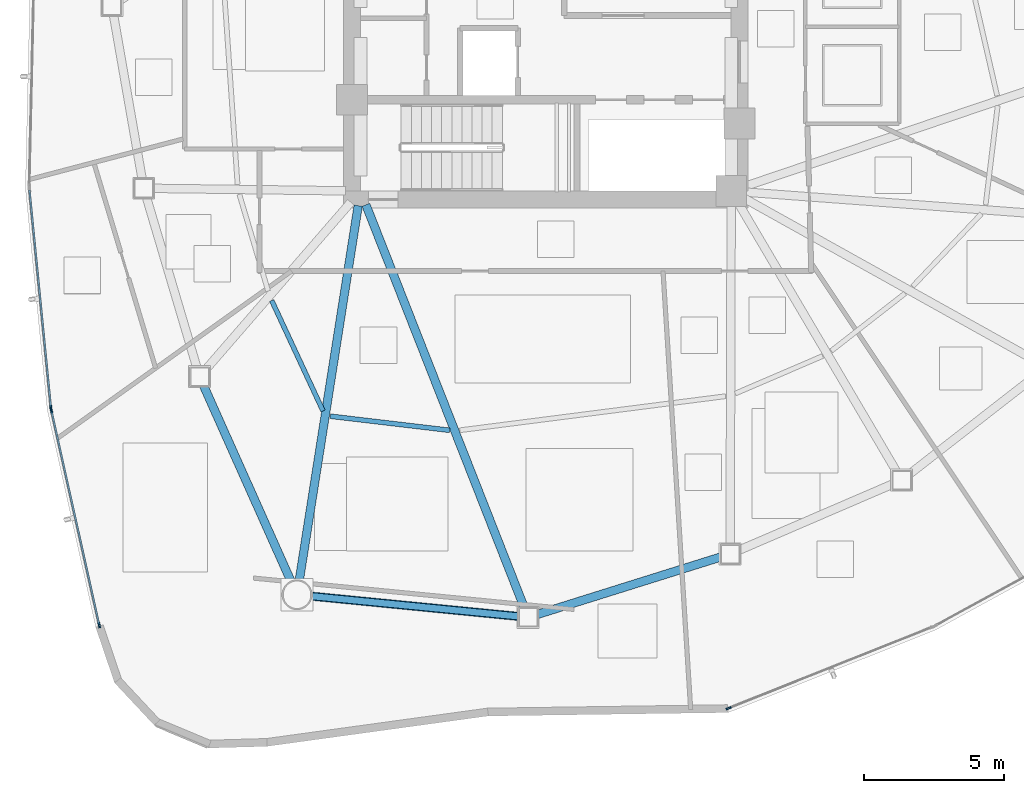
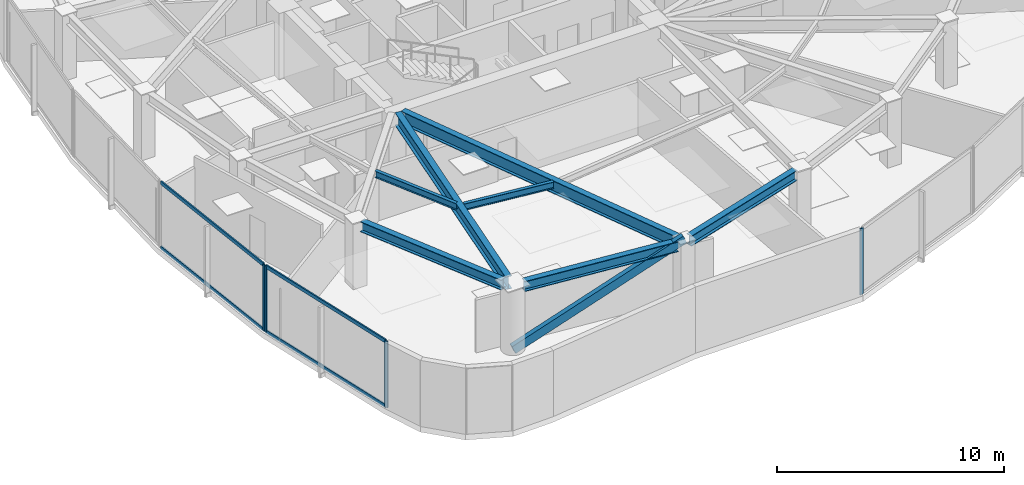
# One storey, part 2 of 16: 9 members, 7 beams, 3 elements without a shape of their own.
"""IFC4 building model written with IfcOpenShell, lengths in metres."""

from ifc_helpers import new_model, si_unit, direction, frame, origin, origin_2d, place, context, subcontext, project, spatial, hollow_rectangle, i_section, extrude, source, transform, mapped, material, layer, layer_set, material_profile, profile_set, type_object, type_shapes, element, aggregate, save


model = new_model("IFC4")

# Units and contexts
model_context = context("Model", 3, precision=1e-05, world=origin(), true_north=direction((0.0, 1.0)))
body_context = subcontext(model_context, "Body", "Model", "MODEL_VIEW")
ifc_project = project(units=[si_unit("LENGTHUNIT", "METRE"), si_unit("AREAUNIT", "SQUARE_METRE"), si_unit("VOLUMEUNIT", "CUBIC_METRE"), si_unit("PLANEANGLEUNIT", "RADIAN"), si_unit("MASSUNIT", "GRAM", prefix="KILO")], contexts=[model_context])

# Site, building, storey
site_placement = place(None, origin())
site = spatial("IfcSite", under=ifc_project, at=site_placement, CompositionType="ELEMENT")
building_placement = place(site_placement, origin())
building = spatial("IfcBuilding", under=site, at=building_placement, Name="Tavelor Broadcast Tower", CompositionType="ELEMENT")
storey_placement = place(building_placement, frame((0.0, 0.0, 138.699951171875)))
storey = spatial("IfcBuildingStorey", under=building, at=storey_placement, Name="L32", CompositionType="ELEMENT", Elevation=138.699951171875)

# Beams
ifc_material_1 = material(Name="Steel S355", Category="steel")
ifc_material_profile_1 = material_profile(ifc_material_1, i_section(OverallWidth=0.169921875, OverallDepth=0.360107421875, WebThickness=0.008056640625, FlangeThickness=0.0126953125, at=origin_2d()), Name="IPE 360")
ifc_profile_set_1 = profile_set([ifc_material_profile_1], Name="Steel S355")
beam_type_1 = type_object("IfcBeamType", Name="Composite Floor Joist T3 IPE 360", PredefinedType="JOIST", material=ifc_profile_set_1)
beam_1_placement = place(storey_placement, frame((40.237548828125, 34.901123046875, 3.3701171875), z_axis=(0.421480014114, -0.906837690936, 0.0), x_axis=(0.906837690936, 0.421480014114, 0.0)))
element("IfcBeam", 1, at=beam_1_placement, inside=storey, type_object=beam_type_1, Name="L32 Secondary Composite Floor Joist 06", PredefinedType="JOIST", context=body_context, shape_type="SweptSolid", body=[
    extrude(i_section(OverallWidth=0.169921875, OverallDepth=0.360107421875, WebThickness=0.008056640625, FlangeThickness=0.0126953125, at=origin_2d()), origin(), (0.0, 0.0, 1.0), 4.337890625),
])
beam_2_placement = place(storey_placement, frame((42.32177734375, 30.781982421875, 3.3701171875), z_axis=(0.993083165759, -0.117413056713, 0.0), x_axis=(0.117413056713, 0.993083165759, 0.0)))
element("IfcBeam", 2, at=beam_2_placement, inside=storey, type_object=beam_type_1, Name="L32 Secondary Composite Floor Joist 07", PredefinedType="JOIST", context=body_context, shape_type="SweptSolid", body=[
    extrude(i_section(OverallWidth=0.169921875, OverallDepth=0.360107421875, WebThickness=0.008056640625, FlangeThickness=0.0126953125, at=origin_2d()), origin(), (0.0, 0.0, 1.0), 4.285400390625),
])
ifc_material_profile_2 = material_profile(ifc_material_1, i_section(OverallWidth=0.300048828125, OverallDepth=0.550048828125, WebThickness=0.014892578125, FlangeThickness=0.029052734375, at=origin_2d()), Name="HEB 550")
ifc_profile_set_2 = profile_set([ifc_material_profile_2], Name="Steel S355")
beam_type_2 = type_object("IfcBeamType", Name="Perimeter Spandrel Beam T3 HEB 550", PredefinedType="SPANDREL", material=ifc_profile_set_2)
beam_3_placement = place(storey_placement, frame((37.80517578125, 31.883544921875, 3.275146484375), z_axis=(0.407977377403, -0.912992036946, 0.0), x_axis=(0.912992036946, 0.407977377403, 0.0)))
element("IfcBeam", 3, at=beam_3_placement, inside=storey, type_object=beam_type_2, Name="L32 Framed-Tube Ring Spandrel 06", PredefinedType="SPANDREL", context=body_context, shape_type="SweptSolid", body=[
    extrude(i_section(OverallWidth=0.300048828125, OverallDepth=0.550048828125, WebThickness=0.014892578125, FlangeThickness=0.029052734375, at=origin_2d()), origin(), (0.0, 0.0, 1.0), 7.658447265625),
])
beam_4_placement = place(storey_placement, frame((41.6484375, 24.373779296875, 3.275146484375), z_axis=(0.995250868203, -0.097343255237, 0.0), x_axis=(0.097343255237, 0.995250868203, 0.0)))
element("IfcBeam", 4, at=beam_4_placement, inside=storey, type_object=beam_type_2, Name="L32 Framed-Tube Ring Spandrel 07", PredefinedType="SPANDREL", context=body_context, shape_type="SweptSolid", body=[
    extrude(i_section(OverallWidth=0.300048828125, OverallDepth=0.550048828125, WebThickness=0.014892578125, FlangeThickness=0.029052734375, at=origin_2d()), origin(), (0.0, 0.0, 1.0), 7.418701171875),
])
beam_5_placement = place(storey_placement, frame((49.68701171875, 23.719482421875, 3.275146484375), z_axis=(0.954271632066, 0.29894088418, 0.0), x_axis=(-0.29894088418, 0.954271632066, 0.0)))
element("IfcBeam", 5, at=beam_5_placement, inside=storey, type_object=beam_type_2, Name="L32 Framed-Tube Ring Spandrel 08", PredefinedType="SPANDREL", context=body_context, shape_type="SweptSolid", body=[
    extrude(i_section(OverallWidth=0.300048828125, OverallDepth=0.550048828125, WebThickness=0.014892578125, FlangeThickness=0.029052734375, at=origin_2d()), origin(), (0.0, 0.0, 1.0), 6.867431640625),
])

# Member
ifc_material_profile_3 = material_profile(ifc_material_1, hollow_rectangle(XDim=0.25, YDim=0.449951171875, WallThickness=0.02001953125, at=origin_2d()), Name="RHS 450x250x20")
ifc_profile_set_3 = profile_set([ifc_material_profile_3], Name="Steel S355")
member_type_1 = type_object("IfcMemberType", Name="Perimeter Tube Brace T3 RHS 450x250x20", PredefinedType="BRACE", material=ifc_profile_set_3)
member_1_placement = place(storey_placement, frame((41.138671875, 24.423828125, 0.0), z_axis=(0.914496364203, -0.089466025126, 0.394578547577), x_axis=(0.097366094377, 0.995248634094, 0.0)))
element("IfcMember", 6, at=member_1_placement, inside=storey, type_object=member_type_1, Name="L32 Corner Tube Diagonal Brace 2", PredefinedType="BRACE", context=body_context, shape_type="SweptSolid", body=[
    extrude(hollow_rectangle(XDim=0.25, YDim=0.449951171875, WallThickness=0.02001953125, at=origin_2d()), origin(), (0.0, 0.0, 1.0), 8.9970703125),
])

# Beams
ifc_material_profile_4 = material_profile(ifc_material_1, i_section(OverallWidth=0.300048828125, OverallDepth=0.68994140625, WebThickness=0.014404296875, FlangeThickness=0.027099609375, at=origin_2d()), Name="HEA 700")
ifc_profile_set_4 = profile_set([ifc_material_profile_4], Name="Steel S355")
beam_type_3 = type_object("IfcBeamType", Name="Radial Floor Girder T3 HEA 700", PredefinedType="BEAM", material=ifc_profile_set_4)
beam_6_placement = place(storey_placement, frame((43.318115234375, 38.2783203125, 3.205078125), z_axis=(-0.1553975273, -0.987852017515, 0.0), x_axis=(0.987852017515, -0.1553975273, 0.0)))
element("IfcBeam", 7, at=beam_6_placement, inside=storey, type_object=beam_type_3, Name="L32 Radial Primary Floor Girder 07", PredefinedType="BEAM", context=body_context, shape_type="SweptSolid", body=[
    extrude(i_section(OverallWidth=0.300048828125, OverallDepth=0.68994140625, WebThickness=0.014404296875, FlangeThickness=0.027099609375, at=origin_2d()), origin(), (0.0, 0.0, 1.0), 13.5126953125),
])
beam_7_placement = place(storey_placement, frame((43.593017578125, 38.30859375, 3.205078125), z_axis=(0.365795149989, -0.930695389612, 0.0), x_axis=(0.930695389612, 0.365795149989, 0.0)))
element("IfcBeam", 8, at=beam_7_placement, inside=storey, type_object=beam_type_3, Name="L32 Radial Primary Floor Girder 08", PredefinedType="BEAM", context=body_context, shape_type="SweptSolid", body=[
    extrude(i_section(OverallWidth=0.300048828125, OverallDepth=0.68994140625, WebThickness=0.014404296875, FlangeThickness=0.027099609375, at=origin_2d()), origin(), (0.0, 0.0, 1.0), 15.447509765625),
])

# Curtain wall, member
ifc_material_2 = material(Name="Architectural Anodized Aluminium", Category="aluminium")
ifc_layer = layer(ifc_material_2, 0.18994140625)
ifc_layer_set = layer_set([ifc_layer], Name="Architectural Anodized Aluminium")
curtain_wall_type = type_object("IfcCurtainWallType", Name="Tower Mid-Zone Acoustic Curtain Wall CW03", PredefinedType="NOTDEFINED", material=ifc_layer_set)
curtain_wall_1_placement = place(storey_placement, origin())
curtain_wall_1 = element("IfcCurtainWall", 9, at=curtain_wall_1_placement, inside=storey, type_object=curtain_wall_type, Name="L32 Curtain Wall CW03 Run 327", PredefinedType="NOTDEFINED")
ifc_material_profile_5 = material_profile(ifc_material_2, hollow_rectangle(XDim=0.068115234375, YDim=0.18994140625, WallThickness=0.02197265625, at=origin_2d()), Name="RHS 68x190x22")
ifc_profile_set_5 = profile_set([ifc_material_profile_5], Name="Architectural Anodized Aluminium")
member_type_2 = type_object("IfcMemberType", Name="CW03 Extruded Aluminium Mullion 68x190", PredefinedType="MULLION", material=ifc_profile_set_5)
shared_shape_1 = source(origin(), body_context, "Body", "SweptSolid", [
    extrude(hollow_rectangle(XDim=0.068115234375, YDim=0.18994140625, WallThickness=0.02197265625, at=origin_2d()), origin(), (0.0, 0.0, 1.0), 3.550048828125),
])
type_shapes(member_type_2, [shared_shape_1])
member_2_placement = place(storey_placement, frame((32.375, 31.082275390625, 0.0), z_axis=(0.0, 0.0, 1.0), x_axis=(0.995183189731, 0.098032743897, 0.0)))
member_2 = element("IfcMember", 10, at=member_2_placement, type_object=member_type_2, Name="CW03 mullion 2", PredefinedType="MULLION", context=body_context, shape_type="MappedRepresentation", body=[
    mapped(shared_shape_1, transform((0.0, 0.0, 0.0), scale=1.0)),
])

# Curtain wall, members
curtain_wall_2_placement = place(storey_placement, origin())
curtain_wall_2 = element("IfcCurtainWall", 11, at=curtain_wall_2_placement, inside=storey, type_object=curtain_wall_type, Name="L32 Curtain Wall CW03 Run 328", PredefinedType="NOTDEFINED")
member_3_placement = place(storey_placement, frame((32.390625, 30.985595703125, 0.0), z_axis=(0.0, 0.0, 1.0), x_axis=(0.976008139305, 0.217734039623, 0.0)))
member_3 = element("IfcMember", 12, at=member_3_placement, type_object=member_type_2, Name="CW03 mullion 1", PredefinedType="MULLION", context=body_context, shape_type="MappedRepresentation", body=[
    mapped(shared_shape_1, transform((0.0, 0.0, 0.0), scale=1.0)),
])
member_4_placement = place(storey_placement, frame((34.096923828125, 23.336669921875, 0.0), z_axis=(0.0, 0.0, 1.0), x_axis=(0.976008139305, 0.217734039623, 0.0)))
member_4 = element("IfcMember", 13, at=member_4_placement, type_object=member_type_2, Name="CW03 mullion 2", PredefinedType="MULLION", context=body_context, shape_type="MappedRepresentation", body=[
    mapped(shared_shape_1, transform((0.0, 0.0, 0.0), scale=1.0)),
])

# Curtain wall, member
curtain_wall_3_placement = place(storey_placement, origin())
curtain_wall_3 = element("IfcCurtainWall", 14, at=curtain_wall_3_placement, inside=storey, type_object=curtain_wall_type, Name="L32 Curtain Wall CW03 Run 329", PredefinedType="NOTDEFINED")
member_5_placement = place(storey_placement, frame((56.50537109375, 20.380859375, 0.0), z_axis=(0.0, 0.0, 1.0), x_axis=(-0.370161763197, 0.928967313239, 0.0)))
member_5 = element("IfcMember", 15, at=member_5_placement, type_object=member_type_2, Name="CW03 mullion 1", PredefinedType="MULLION", context=body_context, shape_type="MappedRepresentation", body=[
    mapped(shared_shape_1, transform((0.0, 0.0, 0.0), scale=1.0)),
])
aggregate(curtain_wall_3, [member_5])

# Member
ifc_material_profile_6 = material_profile(ifc_material_2, hollow_rectangle(XDim=0.068115234375, YDim=0.18994140625, WallThickness=0.02197265625, at=origin_2d()), Name="RHS 68x190x22")
ifc_profile_set_6 = profile_set([ifc_material_profile_6], Name="Architectural Anodized Aluminium")
member_type_3 = type_object("IfcMemberType", Name="CW03 Extruded Aluminium Transom 68x190", PredefinedType="USERDEFINED", material=ifc_profile_set_6)
shared_shape_2 = source(origin(), body_context, "Body", "SweptSolid", [
    extrude(hollow_rectangle(XDim=0.068115234375, YDim=0.18994140625, WallThickness=0.02197265625, at=origin_2d()), origin(), (0.0, 0.0, 1.0), 7.75341796875),
])
member_6_placement = place(storey_placement, frame((31.611572265625, 38.83203125, 0.033935546875), z_axis=(0.098053914194, -0.995181104077, 0.0), x_axis=(0.995181104077, 0.098053914194, 0.0)))
member_6 = element("IfcMember", 16, at=member_6_placement, type_object=member_type_3, Name="CW03 transom 1.1", ObjectType="TRANSOM", PredefinedType="USERDEFINED", context=body_context, shape_type="MappedRepresentation", body=[
    mapped(shared_shape_2, transform((0.0, 0.0, 0.0), scale=1.0)),
])

member_7_placement = place(storey_placement, frame((31.611572265625, 38.83203125, 3.51611328125), z_axis=(0.098053914194, -0.995181104077, 0.0), x_axis=(0.995181104077, 0.098053914194, 0.0)))
member_7 = element("IfcMember", 17, at=member_7_placement, type_object=member_type_3, Name="CW03 transom 1.2", ObjectType="TRANSOM", PredefinedType="USERDEFINED", context=body_context, shape_type="MappedRepresentation", body=[
    mapped(shared_shape_2, transform((0.0, 0.0, 0.0), scale=1.0)),
])

aggregate(curtain_wall_1, [member_2, member_6, member_7])

shared_shape_3 = source(origin(), body_context, "Body", "SweptSolid", [
    extrude(hollow_rectangle(XDim=0.068115234375, YDim=0.18994140625, WallThickness=0.02197265625, at=origin_2d()), origin(), (0.0, 0.0, 1.0), 7.76904296875),
])
type_shapes(member_type_3, [shared_shape_2, shared_shape_3])
member_8_placement = place(storey_placement, frame((32.39794921875, 30.952392578125, 0.033935546875), z_axis=(0.217745590256, -0.976005562445, 0.0), x_axis=(0.976005562445, 0.217745590256, 0.0)))
member_8 = element("IfcMember", 18, at=member_8_placement, type_object=member_type_3, Name="CW03 transom 1.1", ObjectType="TRANSOM", PredefinedType="USERDEFINED", context=body_context, shape_type="MappedRepresentation", body=[
    mapped(shared_shape_3, transform((0.0, 0.0, 0.0), scale=1.0)),
])

member_9_placement = place(storey_placement, frame((32.39794921875, 30.952392578125, 3.51611328125), z_axis=(0.217745590256, -0.976005562445, 0.0), x_axis=(0.976005562445, 0.217745590256, 0.0)))
member_9 = element("IfcMember", 19, at=member_9_placement, type_object=member_type_3, Name="CW03 transom 1.2", ObjectType="TRANSOM", PredefinedType="USERDEFINED", context=body_context, shape_type="MappedRepresentation", body=[
    mapped(shared_shape_3, transform((0.0, 0.0, 0.0), scale=1.0)),
])

aggregate(curtain_wall_2, [member_3, member_4, member_8, member_9])

save(model, "model.ifc")
